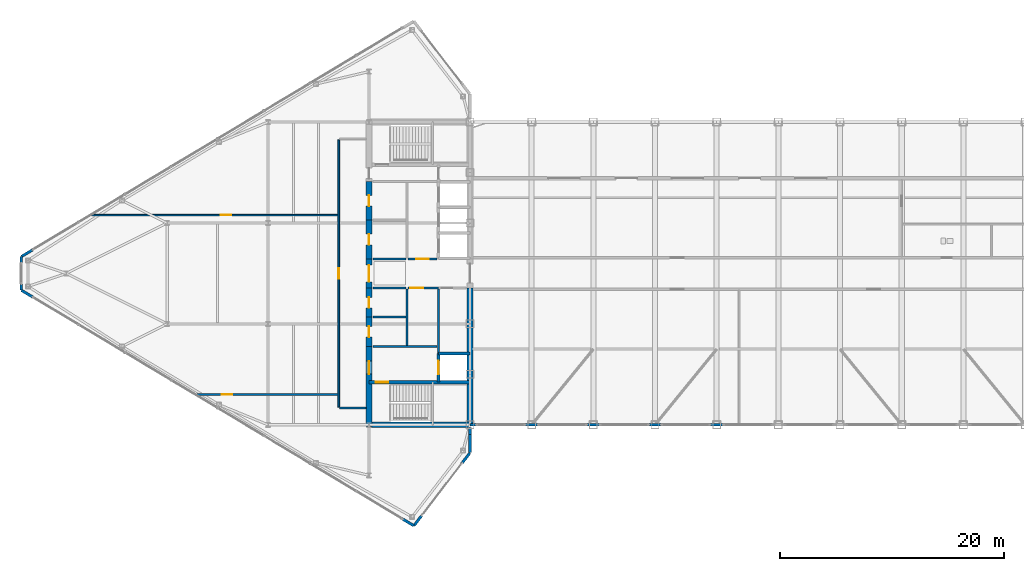
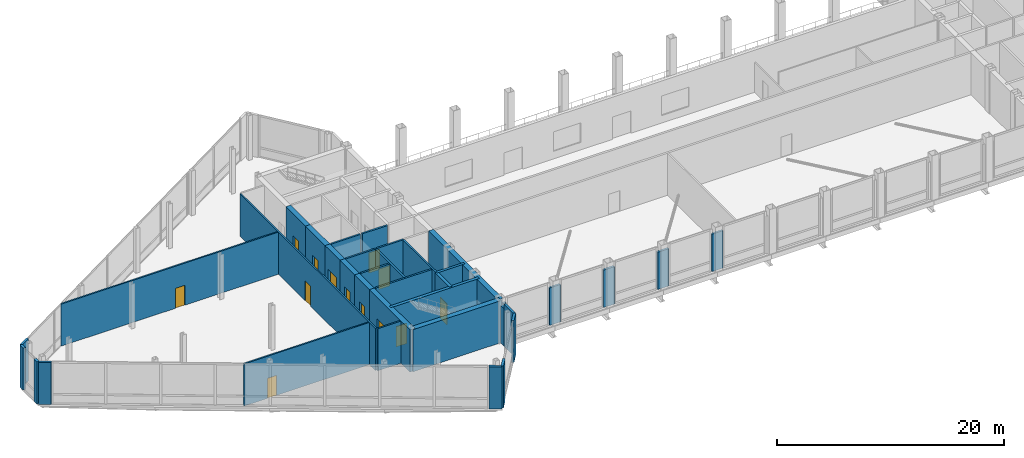
# One storey, part 21 of 28: 37 walls, 13 doors, 13 openings.
"""IFC4 building model written with IfcOpenShell, lengths in metres."""

from ifc_helpers import new_model, si_unit, direction, frame, frame_2d, origin, place, context, subcontext, project, spatial, rectangle, extrude, source, transform, mapped, material, layer, layer_set, type_object, type_shapes, element, fill, save


model = new_model("IFC4")

# Units and contexts
model_context = context("Model", 3, precision=1e-05, world=origin(), true_north=direction((0.0, 1.0)))
body_context = subcontext(model_context, "Body", "Model", "MODEL_VIEW")
ifc_project = project(units=[si_unit("LENGTHUNIT", "METRE"), si_unit("AREAUNIT", "SQUARE_METRE"), si_unit("VOLUMEUNIT", "CUBIC_METRE"), si_unit("PLANEANGLEUNIT", "RADIAN"), si_unit("MASSUNIT", "GRAM", prefix="KILO")], contexts=[model_context])

# Site, building, storey
site_placement = place(None, origin())
site = spatial("IfcSite", under=ifc_project, at=site_placement, CompositionType="ELEMENT")
building_placement = place(site_placement, origin())
building = spatial("IfcBuilding", under=site, at=building_placement, Name="Seokmaru Belvedere", CompositionType="ELEMENT")
storey_placement = place(building_placement, frame((0.0, 0.0, 274.199951171875)))
storey = spatial("IfcBuildingStorey", under=building, at=storey_placement, Name="L72", CompositionType="ELEMENT", Elevation=274.199951171875)

# Wall
ifc_material_1 = material(Name="Fire-Rated Gypsum Shaftwall")
ifc_layer_1 = layer(ifc_material_1, 0.14990234375)
ifc_layer_set_1 = layer_set([ifc_layer_1], Name="Fire-Rated Gypsum Shaftwall")
wall_type_1 = type_object("IfcWallType", Name="Apartment Fire-Acoustic Room Partition 150", PredefinedType="PARTITIONING", material=ifc_layer_set_1)
wall_1_placement = place(storey_placement, frame((-39.114990234375, -12.0, 0.0), z_axis=(0.0, 0.0, 1.0), x_axis=(1.0, 0.0, 0.0)))
element("IfcWall", 1, at=wall_1_placement, inside=storey, type_object=wall_type_1, Name="L72 Interior Partition 001", PredefinedType="PARTITIONING", context=body_context, shape_type="SweptSolid", body=[
    extrude(rectangle(XDim=2.360107421875, YDim=0.14990234375, at=frame_2d((1.18017578125, 0.0))), origin(), (0.0, 0.0, 1.0), 4.52001953125),
])

# Wall, opening, door
wall_2_placement = place(storey_placement, frame((-52.010009765625, -10.800048828125, 0.0), z_axis=(0.0, 0.0, 1.0), x_axis=(1.0, 0.0, 0.0)))
wall_2 = element("IfcWall", 2, at=wall_2_placement, inside=storey, type_object=wall_type_1, Name="L72 Interior Partition 003", PredefinedType="PARTITIONING", context=body_context, shape_type="SweptSolid", body=[
    extrude(rectangle(XDim=12.72509765625, YDim=0.14990234375, at=frame_2d((6.362548828125, 0.0))), origin(), (0.0, 0.0, 1.0), 4.52001953125),
])
opening_1_placement = place(wall_2_placement, frame((2.37646484375, 0.0, 0.0)))
opening_1 = element("IfcOpeningElement", 3, at=opening_1_placement, cuts=wall_2, Name="Opening D05", PredefinedType="OPENING", context=body_context, shape_type="SweptSolid", body=[
    extrude(rectangle(XDim=0.949951171875, YDim=2.14990234375, at=frame_2d((0.47509765625, 1.074951171875))), frame((0.0, 0.0849609375, 0.0), z_axis=(0.0, -1.0, 0.0), x_axis=(1.0, 0.0, 0.0)), (0.0, 0.0, 1.0), 0.169921875),
])
ifc_material_2 = material(Name="Engineered White Oak Timber", Category="wood")
door_type_1 = type_object("IfcDoorType", Name="Apartment Interior Fire-Rated Oak Door 950x2150", OperationType="NOTDEFINED", PredefinedType="DOOR", material=ifc_material_2)
shared_shape_1 = source(origin(), body_context, "Body", "SweptSolid", [
    extrude(rectangle(XDim=0.949951171875, YDim=2.14990234375, at=frame_2d((0.47509765625, 1.074951171875))), frame((0.0, 0.02490234375, 0.0), z_axis=(0.0, -1.0, 0.0), x_axis=(1.0, 0.0, 0.0)), (0.0, 0.0, 1.0), 0.050048828125),
])
type_shapes(door_type_1, [shared_shape_1])
door_1_placement = place(opening_1_placement, origin())
door_1 = element("IfcDoor", 4, at=door_1_placement, inside=storey, type_object=door_type_1, Name="L72 Interior Door 002", OperationType="SINGLE_SWING_RIGHT", OverallHeight=2.14990234375, OverallWidth=0.949951171875, PredefinedType="DOOR", context=body_context, shape_type="MappedRepresentation", body=[
    mapped(shared_shape_1, transform((0.0, 0.0, 0.0), scale=1.0)),
])
fill(opening_1, door_1)

wall_3_placement = place(storey_placement, frame((-61.343017578125, 5.199951171875, 0.0), z_axis=(0.0, 0.0, 1.0), x_axis=(1.0, 0.0, 0.0)))
wall_3 = element("IfcWall", 5, at=wall_3_placement, inside=storey, type_object=wall_type_1, Name="L72 Interior Partition 008", PredefinedType="PARTITIONING", context=body_context, shape_type="SweptSolid", body=[
    extrude(rectangle(XDim=22.05810546875, YDim=0.14990234375, at=frame_2d((11.029052734375, 0.0))), origin(), (0.0, 0.0, 1.0), 4.52001953125),
])
opening_2_placement = place(wall_3_placement, frame((11.617919921875, 0.0, 0.0)))
opening_2 = element("IfcOpeningElement", 6, at=opening_2_placement, cuts=wall_3, Name="Opening D05", PredefinedType="OPENING", context=body_context, shape_type="SweptSolid", body=[
    extrude(rectangle(XDim=0.949951171875, YDim=2.14990234375, at=frame_2d((0.47509765625, 1.074951171875))), frame((0.0, 0.0849609375, 0.0), z_axis=(0.0, -1.0, 0.0), x_axis=(1.0, 0.0, 0.0)), (0.0, 0.0, 1.0), 0.169921875),
])
door_2_placement = place(opening_2_placement, origin())
door_2 = element("IfcDoor", 7, at=door_2_placement, inside=storey, type_object=door_type_1, Name="L72 Interior Door 003", OperationType="SINGLE_SWING_LEFT", OverallHeight=2.14990234375, OverallWidth=0.949951171875, PredefinedType="DOOR", context=body_context, shape_type="MappedRepresentation", body=[
    mapped(shared_shape_1, transform((0.0, 0.0, 0.0), scale=1.0)),
])
fill(opening_2, door_2)

wall_4_placement = place(storey_placement, frame((-39.199951171875, -11.9150390625, 0.0), z_axis=(0.0, 0.0, 1.0), x_axis=(0.0, 1.0, 0.0)))
wall_4 = element("IfcWall", 8, at=wall_4_placement, inside=storey, type_object=wall_type_1, Name="L72 Interior Partition 012", PredefinedType="PARTITIONING", context=body_context, shape_type="SweptSolid", body=[
    extrude(rectangle(XDim=23.830078125, YDim=0.14990234375, at=frame_2d((11.9150390625, 0.0))), origin(), (0.0, 0.0, 1.0), 4.52001953125),
])
opening_3_placement = place(wall_4_placement, frame((11.43994140625, 0.0, 0.0)))
opening_3 = element("IfcOpeningElement", 9, at=opening_3_placement, cuts=wall_4, Name="Opening D05", PredefinedType="OPENING", context=body_context, shape_type="SweptSolid", body=[
    extrude(rectangle(XDim=0.949951171875, YDim=2.14990234375, at=frame_2d((0.47509765625, 1.074951171875))), frame((0.0, 0.0849609375, 0.0), z_axis=(0.0, -1.0, 0.0), x_axis=(1.0, 0.0, 0.0)), (0.0, 0.0, 1.0), 0.169921875),
])
door_3_placement = place(opening_3_placement, origin())
door_3 = element("IfcDoor", 10, at=door_3_placement, inside=storey, type_object=door_type_1, Name="L72 Interior Door 001", OperationType="SINGLE_SWING_LEFT", OverallHeight=2.14990234375, OverallWidth=0.949951171875, PredefinedType="DOOR", context=body_context, shape_type="MappedRepresentation", body=[
    mapped(shared_shape_1, transform((0.0, 0.0, 0.0), scale=1.0)),
])
fill(opening_3, door_3)

# Walls
ifc_material_3 = material(Name="Anodised Bronze Aluminium", Category="aluminium")
ifc_layer_2 = layer(ifc_material_3, 0.2099609375)
ifc_layer_set_2 = layer_set([ifc_layer_2], Name="Anodised Bronze Aluminium")
wall_type_2 = type_object("IfcWallType", Name="Bridge Column Spandrel Closure Pier 210", PredefinedType="SOLIDWALL", material=ifc_layer_set_2)
wall_5_placement = place(storey_placement, frame((-27.489990234375, -13.5, 0.0), z_axis=(0.0, 0.0, 1.0), x_axis=(1.0, 0.0, 0.0)))
element("IfcWall", 11, at=wall_5_placement, inside=storey, type_object=wall_type_2, Name="L72 Bridge South Column Closure Pier 01", PredefinedType="SOLIDWALL", context=body_context, shape_type="SweptSolid", body=[
    extrude(rectangle(XDim=0.5400390625, YDim=0.2099609375, at=frame_2d((0.27001953125, 0.0))), origin(), (0.0, 0.0, 1.0), 4.02001953125),
])
for number, where, z_axis, x_axis, name in (
    (12, (-22.550048828125, -13.5, 0.0), (0.0, 0.0, 1.0), (1.0, 0.0, 0.0), "L72 Bridge South Column Closure Pier 02"),
    (13, (-17.050048828125, -13.5, 0.0), (0.0, 0.0, 1.0), (1.0, 0.0, 0.0), "L72 Bridge South Column Closure Pier 03"),
    (14, (-11.550048828125, -13.5, 0.0), (0.0, 0.0, 1.0), (1.0, 0.0, 0.0), "L72 Bridge South Column Closure Pier 04"),
    (15, (-6.050048828125, -13.5, 0.0), (0.0, 0.0, 1.0), (1.0, 0.0, 0.0), "L72 Bridge South Column Closure Pier 05"),
):
    element("IfcWall", number, at=place(storey_placement, frame(where, z_axis=z_axis, x_axis=x_axis)), inside=storey, type_object=wall_type_2, Name=name, PredefinedType="SOLIDWALL", context=body_context, shape_type="SweptSolid", body=[
        extrude(rectangle(XDim=1.10009765625, YDim=0.2099609375, at=frame_2d((0.550048828125, 0.0))), origin(), (0.0, 0.0, 1.0), 4.02001953125),
    ])
ifc_layer_3 = layer(ifc_material_1, 0.179931640625)
ifc_layer_set_3 = layer_set([ifc_layer_3], Name="Fire-Rated Gypsum Shaftwall")
wall_type_3 = type_object("IfcWallType", Name="Core Service Fire Partition 180", PredefinedType="PARTITIONING", material=ifc_layer_set_3)
wall_6_placement = place(storey_placement, frame((-36.14990234375, -6.5, 0.0), z_axis=(0.0, 0.0, 1.0), x_axis=(1.0, 0.0, 0.0)))
element("IfcWall", 16, at=wall_6_placement, inside=storey, type_object=wall_type_3, Name="L72 West Firefighting Lobby Partition", PredefinedType="PARTITIONING", context=body_context, shape_type="SweptSolid", body=[
    extrude(rectangle(XDim=5.699951171875, YDim=0.179931640625, at=frame_2d((2.85009765625, 0.0))), origin(), (0.0, 0.0, 1.0), 4.52001953125),
])
wall_7_placement = place(storey_placement, frame((-33.10009765625, -6.419921875, 0.0), z_axis=(0.0, 0.0, 1.0), x_axis=(0.0, 1.0, 0.0)))
element("IfcWall", 17, at=wall_7_placement, inside=storey, type_object=wall_type_3, Name="L72 West South Core Service Back Wall", PredefinedType="PARTITIONING", context=body_context, shape_type="SweptSolid", body=[
    extrude(rectangle(XDim=5.0400390625, YDim=0.179931640625, at=frame_2d((2.52001953125, 0.0))), origin(), (0.0, 0.0, 1.0), 4.52001953125),
])

# Wall, opening, door
wall_8_placement = place(storey_placement, frame((-33.02001953125, -1.300048828125, 0.0), z_axis=(0.0, 0.0, 1.0), x_axis=(1.0, 0.0, 0.0)))
wall_8 = element("IfcWall", 18, at=wall_8_placement, inside=storey, type_object=wall_type_3, Name="L72 West South Wine Cellar Foyer Wall", PredefinedType="PARTITIONING", context=body_context, shape_type="SweptSolid", body=[
    extrude(rectangle(XDim=2.719970703125, YDim=0.179931640625, at=frame_2d((1.35986328125, 0.0))), origin(), (0.0, 0.0, 1.0), 4.52001953125),
])
opening_4_placement = place(wall_8_placement, frame((0.2099609375, 0.0, 0.0)))
opening_4 = element("IfcOpeningElement", 19, at=opening_4_placement, cuts=wall_8, Name="Opening D02", PredefinedType="OPENING", context=body_context, shape_type="SweptSolid", body=[
    extrude(rectangle(XDim=1.14990234375, YDim=2.199951171875, at=frame_2d((0.574951171875, 1.10009765625))), frame((0.0, 0.10009765625, 0.0), z_axis=(0.0, -1.0, 0.0), x_axis=(1.0, 0.0, 0.0)), (0.0, 0.0, 1.0), 0.199951171875),
])
ifc_material_4 = material(Name="Fire-Rated Steel Leaf", Category="steel")
door_type_2 = type_object("IfcDoorType", Name="Lobby and Vestibule Fire Door 1150x2200", OperationType="NOTDEFINED", PredefinedType="DOOR", material=ifc_material_4)
shared_shape_2 = source(origin(), body_context, "Body", "SweptSolid", [
    extrude(rectangle(XDim=1.14990234375, YDim=2.199951171875, at=frame_2d((0.574951171875, 1.10009765625))), frame((0.0, 0.02490234375, 0.0), z_axis=(0.0, -1.0, 0.0), x_axis=(1.0, 0.0, 0.0)), (0.0, 0.0, 1.0), 0.050048828125),
])
type_shapes(door_type_2, [shared_shape_2])
door_4_placement = place(opening_4_placement, origin())
door_4 = element("IfcDoor", 20, at=door_4_placement, inside=storey, type_object=door_type_2, Name="L72 West South Core Foyer Door", OperationType="SINGLE_SWING_LEFT", OverallHeight=2.199951171875, OverallWidth=1.14990234375, PredefinedType="DOOR", context=body_context, shape_type="MappedRepresentation", body=[
    mapped(shared_shape_2, transform((0.0, 0.0, 0.0), scale=1.0)),
])
fill(opening_4, door_4)

# Wall
wall_9_placement = place(storey_placement, frame((-30.300048828125, -7.1201171875, 0.0), z_axis=(0.0, 0.0, 1.0), x_axis=(0.0, 1.0, 0.0)))
element("IfcWall", 21, at=wall_9_placement, inside=storey, type_object=wall_type_3, Name="L72 West Freed Shaft Vault Partition", PredefinedType="PARTITIONING", context=body_context, shape_type="SweptSolid", body=[
    extrude(rectangle(XDim=5.740234375, YDim=0.179931640625, at=frame_2d((2.8701171875, 0.0))), origin(), (0.0, 0.0, 1.0), 4.52001953125),
])

# Wall, opening, door
wall_10_placement = place(storey_placement, frame((-33.02001953125, 1.300048828125, 0.0), z_axis=(0.0, 0.0, 1.0), x_axis=(1.0, 0.0, 0.0)))
wall_10 = element("IfcWall", 22, at=wall_10_placement, inside=storey, type_object=wall_type_3, Name="L72 West North Lift Lobby Foyer Wall", PredefinedType="PARTITIONING", context=body_context, shape_type="SweptSolid", body=[
    extrude(rectangle(XDim=2.570068359375, YDim=0.179931640625, at=frame_2d((1.28515625, 0.0))), origin(), (0.0, 0.0, 1.0), 4.52001953125),
])
opening_5_placement = place(wall_10_placement, frame((0.7099609375, 0.0, 0.0)))
opening_5 = element("IfcOpeningElement", 23, at=opening_5_placement, cuts=wall_10, Name="Opening D02", PredefinedType="OPENING", context=body_context, shape_type="SweptSolid", body=[
    extrude(rectangle(XDim=1.14990234375, YDim=2.199951171875, at=frame_2d((0.574951171875, 1.10009765625))), frame((0.0, 0.10009765625, 0.0), z_axis=(0.0, -1.0, 0.0), x_axis=(1.0, 0.0, 0.0)), (0.0, 0.0, 1.0), 0.199951171875),
])
door_5_placement = place(opening_5_placement, origin())
door_5 = element("IfcDoor", 24, at=door_5_placement, inside=storey, type_object=door_type_2, Name="L72 West North Lift Lobby Door", OperationType="SINGLE_SWING_RIGHT", OverallHeight=2.199951171875, OverallWidth=1.14990234375, PredefinedType="DOOR", context=body_context, shape_type="MappedRepresentation", body=[
    mapped(shared_shape_2, transform((0.0, 0.0, 0.0), scale=1.0)),
])
fill(opening_5, door_5)

# Walls
for number, where, z_axis, x_axis, name in (
    (25, (-36.14990234375, -1.300048828125, 0.0), (0.0, 0.0, 1.0), (1.0, 0.0, 0.0), "L72 West Foyer Side Wall S"),
    (26, (-36.14990234375, 1.300048828125, 0.0), (0.0, 0.0, 1.0), (1.0, 0.0, 0.0), "L72 West Foyer Side Wall N"),
    (27, (-36.14990234375, -3.89990234375, 0.0), (0.0, 0.0, 1.0), (1.0, 0.0, 0.0), "L72 West Core Service Partition 1"),
):
    element("IfcWall", number, at=place(storey_placement, frame(where, z_axis=z_axis, x_axis=x_axis)), inside=storey, type_object=wall_type_3, Name=name, PredefinedType="PARTITIONING", context=body_context, shape_type="SweptSolid", body=[
        extrude(rectangle(XDim=2.949951171875, YDim=0.179931640625, at=frame_2d((1.47509765625, 0.0))), origin(), (0.0, 0.0, 1.0), 4.52001953125),
    ])
ifc_material_5 = material(Name="Concrete C50 (50 MPa)", Category="concrete")
ifc_layer_4 = layer(ifc_material_5, 0.25)
ifc_layer_set_4 = layer_set([ifc_layer_4], Name="Concrete C50 (50 MPa)")
wall_type_4 = type_object("IfcWallType", Name="Hoistway Transverse Concrete Divider Wall 250", PredefinedType="SHEAR", material=ifc_layer_set_4)
wall_11_placement = place(storey_placement, frame((-30.300048828125, -7.14990234375, 0.0), z_axis=(0.0, 0.0, 1.0), x_axis=(1.0, 0.0, 0.0)))
element("IfcWall", 28, at=wall_11_placement, inside=storey, type_object=wall_type_4, Name="L72 West Hoistway Divider Core Wall 1", PredefinedType="SHEAR", context=body_context, shape_type="SweptSolid", body=[
    extrude(rectangle(XDim=2.800048828125, YDim=0.25, at=frame_2d((1.39990234375, 0.0))), origin(), (0.0, 0.0, 1.0), 4.52001953125),
])

# Wall, opening, door
ifc_layer_5 = layer(ifc_material_5, 0.300048828125)
ifc_layer_set_5 = layer_set([ifc_layer_5], Name="Concrete C50 (50 MPa)")
wall_type_5 = type_object("IfcWallType", Name="Internal Core Stair and Hoistway Wall 300", PredefinedType="SHEAR", material=ifc_layer_set_5)
wall_12_placement = place(storey_placement, frame((-36.5, -9.699951171875, 0.0), z_axis=(0.0, 0.0, 1.0), x_axis=(1.0, 0.0, 0.0)))
wall_12 = element("IfcWall", 29, at=wall_12_placement, inside=storey, type_object=wall_type_5, Name="L72 West Stair ST-1 Enclosure Wall", PredefinedType="SHEAR", context=body_context, shape_type="SweptSolid", body=[
    extrude(rectangle(XDim=9.0, YDim=0.300048828125, at=frame_2d((4.5, 0.0))), origin(), (0.0, 0.0, 1.0), 4.52001953125),
])
opening_6_placement = place(wall_12_placement, frame((0.60009765625, 0.0, 0.0)))
opening_6 = element("IfcOpeningElement", 30, at=opening_6_placement, cuts=wall_12, Name="Opening D01", PredefinedType="OPENING", context=body_context, shape_type="SweptSolid", body=[
    extrude(rectangle(XDim=1.10009765625, YDim=2.199951171875, at=frame_2d((0.550048828125, 1.10009765625))), frame((0.0, 0.16015625, 0.0), z_axis=(0.0, -1.0, 0.0), x_axis=(1.0, 0.0, 0.0)), (0.0, 0.0, 1.0), 0.320068359375),
])
door_type_3 = type_object("IfcDoorType", Name="Special Escape Stair Smokeproof Fire Door 1100x2200", OperationType="NOTDEFINED", PredefinedType="DOOR", material=ifc_material_4)
shared_shape_3 = source(origin(), body_context, "Body", "SweptSolid", [
    extrude(rectangle(XDim=1.10009765625, YDim=2.199951171875, at=frame_2d((0.550048828125, 1.10009765625))), frame((0.0, 0.02490234375, 0.0), z_axis=(0.0, -1.0, 0.0), x_axis=(1.0, 0.0, 0.0)), (0.0, 0.0, 1.0), 0.050048828125),
])
type_shapes(door_type_3, [shared_shape_3])
door_6_placement = place(opening_6_placement, frame((1.10009765625, 0.0, 0.0), z_axis=(0.0, 0.0, 1.0), x_axis=(-1.0, 0.0, 0.0)))
door_6 = element("IfcDoor", 31, at=door_6_placement, inside=storey, type_object=door_type_3, Name="L72 West Special Escape Stair ST-1 Door", OperationType="SINGLE_SWING_LEFT", OverallHeight=2.199951171875, OverallWidth=1.10009765625, PredefinedType="DOOR", context=body_context, shape_type="MappedRepresentation", body=[
    mapped(shared_shape_3, transform((0.0, 0.0, 0.0), scale=1.0)),
])
fill(opening_6, door_6)

wall_13_placement = place(storey_placement, frame((-30.300048828125, -9.679931640625, 0.0), z_axis=(0.0, 0.0, 1.0), x_axis=(0.0, 1.0, 0.0)))
wall_13 = element("IfcWall", 32, at=wall_13_placement, inside=storey, type_object=wall_type_5, Name="L72 West Firefighting Lift Shaft Front Wall", PredefinedType="SHEAR", context=body_context, shape_type="SweptSolid", body=[
    extrude(rectangle(XDim=2.559814453125, YDim=0.300048828125, at=frame_2d((1.27978515625, 0.0))), origin(), (0.0, 0.0, 1.0), 4.52001953125),
])
opening_7_placement = place(wall_13_placement, frame((0.679931640625, 0.0, 0.0)))
opening_7 = element("IfcOpeningElement", 33, at=opening_7_placement, cuts=wall_13, Name="Opening LD2", PredefinedType="OPENING", context=body_context, shape_type="SweptSolid", body=[
    extrude(rectangle(XDim=1.199951171875, YDim=2.25, at=frame_2d((0.60009765625, 1.125))), frame((0.0, 0.16015625, 0.0), z_axis=(0.0, -1.0, 0.0), x_axis=(1.0, 0.0, 0.0)), (0.0, 0.0, 1.0), 0.320068359375),
])
ifc_material_6 = material(Name="Stainless Steel 316", Category="steel")
door_type_4 = type_object("IfcDoorType", Name="Firefighting Lift Sliding Landing Door 1200x2250", OperationType="DOUBLE_DOOR_SLIDING", PredefinedType="DOOR", material=ifc_material_6)
shared_shape_4 = source(origin(), body_context, "Body", "SweptSolid", [
    extrude(rectangle(XDim=1.199951171875, YDim=2.25, at=frame_2d((0.60009765625, 1.125))), frame((0.0, 0.02490234375, 0.0), z_axis=(0.0, -1.0, 0.0), x_axis=(1.0, 0.0, 0.0)), (0.0, 0.0, 1.0), 0.050048828125),
])
type_shapes(door_type_4, [shared_shape_4])
door_7_placement = place(opening_7_placement, origin())
door_7 = element("IfcDoor", 34, at=door_7_placement, inside=storey, type_object=door_type_4, Name="L72 West Firefighting Lift Landing Door", OperationType="DOUBLE_DOOR_SLIDING", OverallHeight=2.25, OverallWidth=1.199951171875, PredefinedType="DOOR", context=body_context, shape_type="MappedRepresentation", body=[
    mapped(shared_shape_4, transform((0.0, 0.0, 0.0), scale=1.0)),
])
fill(opening_7, door_7)

# Walls
ifc_layer_6 = layer(ifc_material_3, 0.239990234375)
ifc_layer_set_6 = layer_set([ifc_layer_6], Name="Anodised Bronze Aluminium")
wall_type_6 = type_object("IfcWallType", Name="Tower Corner Spandrel Closure Wall 240", PredefinedType="SOLIDWALL", material=ifc_layer_set_6)
wall_14_placement = place(storey_placement, frame((-27.5, -15.97998046875, 0.0), z_axis=(0.0, 0.0, 1.0), x_axis=(0.0, 1.0, 0.0)))
element("IfcWall", 35, at=wall_14_placement, inside=storey, type_object=wall_type_6, Name="L72 W Shoulder Closure Wall 1", PredefinedType="SOLIDWALL", context=body_context, shape_type="SweptSolid", body=[
    extrude(rectangle(XDim=1.605224609375, YDim=0.239990234375, at=frame_2d((0.802734375, 0.0))), origin(), (0.0, 0.0, 1.0), 4.52001953125),
])
wall_15_placement = place(storey_placement, frame((-27.5, -14.374755859375, 0.0), z_axis=(0.0, 0.0, 1.0), x_axis=(0.0, 1.0, 0.0)))
element("IfcWall", 36, at=wall_15_placement, inside=storey, type_object=wall_type_6, Name="L72 W Shoulder Closure Wall 1 Part 2", PredefinedType="SOLIDWALL", context=body_context, shape_type="SweptSolid", body=[
    extrude(rectangle(XDim=0.619873046875, YDim=0.239990234375, at=frame_2d((0.31005859375, 0.0))), origin(), (0.0, 0.0, 1.0), 4.02001953125),
])
wall_16_placement = place(storey_placement, frame((-66.513916015625, 2.091796875, 0.0), z_axis=(0.0, 0.0, 1.0), x_axis=(-0.85743623509, -0.514590228002, 0.0)))
element("IfcWall", 37, at=wall_16_placement, inside=storey, type_object=wall_type_6, Name="L72 W Corner Closure Pier 3B", PredefinedType="SOLIDWALL", context=body_context, shape_type="SweptSolid", body=[
    extrude(rectangle(XDim=1.14013671875, YDim=0.239990234375, at=frame_2d((0.570068359375, 0.0))), origin(), (0.0, 0.0, 1.0), 4.52001953125),
])
for number, where, z_axis, x_axis, name in (
    (38, (-67.5, 1.489990234375, 0.0), (0.0, 0.0, 1.0), (0.0, -1.0, 0.0), "L72 W Apex Closure Pier 4A"),
    (39, (-67.5, -0.949951171875, 0.0), (0.0, 0.0, 1.0), (0.0, -1.0, 0.0), "L72 W Apex Closure Pier 4B"),
):
    element("IfcWall", number, at=place(storey_placement, frame(where, z_axis=z_axis, x_axis=x_axis)), inside=storey, type_object=wall_type_6, Name=name, PredefinedType="SOLIDWALL", context=body_context, shape_type="SweptSolid", body=[
        extrude(rectangle(XDim=0.5400390625, YDim=0.239990234375, at=frame_2d((0.27001953125, 0.0))), origin(), (0.0, 0.0, 1.0), 4.52001953125),
    ])
for number, where, z_axis, x_axis, name in (
    (40, (-67.491455078125, -1.505126953125, 0.0), (0.0, 0.0, 1.0), (0.85743623509, -0.514590228002, 0.0), "L72 W Corner Closure Pier 5A"),
    (41, (-33.486083984375, -21.908203125, 0.0), (0.0, 0.0, 1.0), (0.85743623509, -0.514590228002, 0.0), "L72 W Corner Closure Pier 5B"),
    (42, (-32.493896484375, -22.4921875, 0.0), (0.0, 0.0, 1.0), (0.609617623633, 0.792695624408, 0.0), "L72 W Corner Closure Pier 6A"),
    (43, (-28.201171875, -16.91162109375, 0.0), (0.0, 0.0, 1.0), (0.609617623633, 0.792695624408, 0.0), "L72 W Corner Closure Pier 6B"),
):
    element("IfcWall", number, at=place(storey_placement, frame(where, z_axis=z_axis, x_axis=x_axis)), inside=storey, type_object=wall_type_6, Name=name, PredefinedType="SOLIDWALL", context=body_context, shape_type="SweptSolid", body=[
        extrude(rectangle(XDim=1.14013671875, YDim=0.239990234375, at=frame_2d((0.570068359375, 0.0))), origin(), (0.0, 0.0, 1.0), 4.52001953125),
    ])
ifc_layer_7 = layer(ifc_material_5, 0.5)
ifc_layer_set_7 = layer_set([ifc_layer_7], Name="Concrete C50 (50 MPa)")
wall_type_7 = type_object("IfcWallType", Name="Upper Tower Reinforced Concrete Core Wall 500", PredefinedType="SHEAR", material=ifc_layer_set_7)
wall_17_placement = place(storey_placement, frame((-27.5, -13.5, 0.0), z_axis=(0.0, 0.0, 1.0), x_axis=(0.0, 1.0, 0.0)))
element("IfcWall", 44, at=wall_17_placement, inside=storey, type_object=wall_type_7, Name="L72 West Portal Spine Core Wall South", PredefinedType="SHEAR", context=body_context, shape_type="SweptSolid", body=[
    extrude(rectangle(XDim=12.199951171875, YDim=0.5, at=frame_2d((6.10009765625, 0.0))), origin(), (0.0, 0.0, 1.0), 4.52001953125),
])
wall_18_placement = place(storey_placement, frame((-36.5, -13.5, 0.0), z_axis=(0.0, 0.0, 1.0), x_axis=(1.0, 0.0, 0.0)))
element("IfcWall", 45, at=wall_18_placement, inside=storey, type_object=wall_type_7, Name="L72 West South Core Wall", PredefinedType="SHEAR", context=body_context, shape_type="SweptSolid", body=[
    extrude(rectangle(XDim=9.0, YDim=0.5, at=frame_2d((4.5, 0.0))), origin(), (0.0, 0.0, 1.0), 4.52001953125),
])

# Wall, opening, door
wall_19_placement = place(storey_placement, frame((-36.5, -13.64990234375, 0.0), z_axis=(0.0, 0.0, 1.0), x_axis=(0.0, 1.0, 0.0)))
wall_19 = element("IfcWall", 46, at=wall_19_placement, inside=storey, type_object=wall_type_7, Name="L72 West West Core Wall FF", PredefinedType="SHEAR", context=body_context, shape_type="SweptSolid", body=[
    extrude(rectangle(XDim=7.14990234375, YDim=0.5, at=frame_2d((3.574951171875, 0.0))), origin(), (0.0, 0.0, 1.0), 4.52001953125),
])
opening_8_placement = place(wall_19_placement, frame((4.675048828125, 0.0, 0.0)))
opening_8 = element("IfcOpeningElement", 47, at=opening_8_placement, cuts=wall_19, Name="Opening D02", PredefinedType="OPENING", context=body_context, shape_type="SweptSolid", body=[
    extrude(rectangle(XDim=1.14990234375, YDim=2.199951171875, at=frame_2d((0.574951171875, 1.10009765625))), frame((0.0, 0.260009765625, 0.0), z_axis=(0.0, -1.0, 0.0), x_axis=(1.0, 0.0, 0.0)), (0.0, 0.0, 1.0), 0.52001953125),
])
door_8_placement = place(opening_8_placement, frame((1.14990234375, 0.0, 0.0), z_axis=(0.0, 0.0, 1.0), x_axis=(-1.0, 0.0, 0.0)))
door_8 = element("IfcDoor", 48, at=door_8_placement, inside=storey, type_object=door_type_2, Name="L72 West Firefighting Lobby Door", OperationType="SINGLE_SWING_LEFT", OverallHeight=2.199951171875, OverallWidth=1.14990234375, PredefinedType="DOOR", context=body_context, shape_type="MappedRepresentation", body=[
    mapped(shared_shape_2, transform((0.0, 0.0, 0.0), scale=1.0)),
])
fill(opening_8, door_8)

wall_20_placement = place(storey_placement, frame((-36.5, -1.300048828125, 0.0), z_axis=(0.0, 0.0, 1.0), x_axis=(0.0, 1.0, 0.0)))
wall_20 = element("IfcWall", 49, at=wall_20_placement, inside=storey, type_object=wall_type_7, Name="L72 West West Core Wall FOY", PredefinedType="SHEAR", context=body_context, shape_type="SweptSolid", body=[
    extrude(rectangle(XDim=2.60009765625, YDim=0.5, at=frame_2d((1.300048828125, 0.0))), origin(), (0.0, 0.0, 1.0), 4.52001953125),
])
opening_9_placement = place(wall_20_placement, frame((0.550048828125, 0.0, 0.0)))
opening_9 = element("IfcOpeningElement", 50, at=opening_9_placement, cuts=wall_20, Name="Opening D08", PredefinedType="OPENING", context=body_context, shape_type="SweptSolid", body=[
    extrude(rectangle(XDim=1.5, YDim=2.300048828125, at=frame_2d((0.75, 1.14990234375))), frame((0.0, 0.260009765625, 0.0), z_axis=(0.0, -1.0, 0.0), x_axis=(1.0, 0.0, 0.0)), (0.0, 0.0, 1.0), 0.52001953125),
])
door_type_5 = type_object("IfcDoorType", Name="Cross-Corridor Compartment Double Fire Door 1500x2300", OperationType="DOUBLE_SWING_LEFT", PredefinedType="DOOR", material=ifc_material_4)
shared_shape_5 = source(origin(), body_context, "Body", "SweptSolid", [
    extrude(rectangle(XDim=1.5, YDim=2.300048828125, at=frame_2d((0.75, 1.14990234375))), frame((0.0, 0.02490234375, 0.0), z_axis=(0.0, -1.0, 0.0), x_axis=(1.0, 0.0, 0.0)), (0.0, 0.0, 1.0), 0.050048828125),
])
type_shapes(door_type_5, [shared_shape_5])
door_9_placement = place(opening_9_placement, origin())
door_9 = element("IfcDoor", 51, at=door_9_placement, inside=storey, type_object=door_type_5, Name="L72 West Core Foyer Compartment Door", OperationType="DOUBLE_SWING_LEFT", OverallHeight=2.300048828125, OverallWidth=1.5, PredefinedType="DOOR", context=body_context, shape_type="MappedRepresentation", body=[
    mapped(shared_shape_5, transform((0.0, 0.0, 0.0), scale=1.0)),
])
fill(opening_9, door_9)

wall_21_placement = place(storey_placement, frame((-36.5, -6.5, 0.0), z_axis=(0.0, 0.0, 1.0), x_axis=(0.0, 1.0, 0.0)))
wall_21 = element("IfcWall", 52, at=wall_21_placement, inside=storey, type_object=wall_type_7, Name="L72 West West Core Wall CS1", PredefinedType="SHEAR", context=body_context, shape_type="SweptSolid", body=[
    extrude(rectangle(XDim=2.60009765625, YDim=0.5, at=frame_2d((1.300048828125, 0.0))), origin(), (0.0, 0.0, 1.0), 4.52001953125),
])
opening_10_placement = place(wall_21_placement, frame((0.824951171875, 0.0, 0.0)))
opening_10 = element("IfcOpeningElement", 53, at=opening_10_placement, cuts=wall_21, Name="Opening D04", PredefinedType="OPENING", context=body_context, shape_type="SweptSolid", body=[
    extrude(rectangle(XDim=0.949951171875, YDim=2.14990234375, at=frame_2d((0.47509765625, 1.074951171875))), frame((0.0, 0.260009765625, 0.0), z_axis=(0.0, -1.0, 0.0), x_axis=(1.0, 0.0, 0.0)), (0.0, 0.0, 1.0), 0.52001953125),
])
door_type_6 = type_object("IfcDoorType", Name="Core Service Room Fire Door 950x2150", OperationType="NOTDEFINED", PredefinedType="DOOR", material=ifc_material_4)
shared_shape_6 = source(origin(), body_context, "Body", "SweptSolid", [
    extrude(rectangle(XDim=0.949951171875, YDim=2.14990234375, at=frame_2d((0.47509765625, 1.074951171875))), frame((0.0, 0.02490234375, 0.0), z_axis=(0.0, -1.0, 0.0), x_axis=(1.0, 0.0, 0.0)), (0.0, 0.0, 1.0), 0.050048828125),
])
type_shapes(door_type_6, [shared_shape_6])
door_10_placement = place(opening_10_placement, origin())
door_10 = element("IfcDoor", 54, at=door_10_placement, inside=storey, type_object=door_type_6, Name="L72 West Core Service Room Door 1", OperationType="SINGLE_SWING_LEFT", OverallHeight=2.14990234375, OverallWidth=0.949951171875, PredefinedType="DOOR", context=body_context, shape_type="MappedRepresentation", body=[
    mapped(shared_shape_6, transform((0.0, 0.0, 0.0), scale=1.0)),
])
fill(opening_10, door_10)

wall_22_placement = place(storey_placement, frame((-36.5, -3.89990234375, 0.0), z_axis=(0.0, 0.0, 1.0), x_axis=(0.0, 1.0, 0.0)))
wall_22 = element("IfcWall", 55, at=wall_22_placement, inside=storey, type_object=wall_type_7, Name="L72 West West Core Wall CS2", PredefinedType="SHEAR", context=body_context, shape_type="SweptSolid", body=[
    extrude(rectangle(XDim=2.599853515625, YDim=0.5, at=frame_2d((1.2998046875, 0.0))), origin(), (0.0, 0.0, 1.0), 4.52001953125),
])
opening_11_placement = place(wall_22_placement, frame((0.824951171875, 0.0, 0.0)))
opening_11 = element("IfcOpeningElement", 56, at=opening_11_placement, cuts=wall_22, Name="Opening D04", PredefinedType="OPENING", context=body_context, shape_type="SweptSolid", body=[
    extrude(rectangle(XDim=0.949951171875, YDim=2.14990234375, at=frame_2d((0.47509765625, 1.074951171875))), frame((0.0, 0.260009765625, 0.0), z_axis=(0.0, -1.0, 0.0), x_axis=(1.0, 0.0, 0.0)), (0.0, 0.0, 1.0), 0.52001953125),
])
door_11_placement = place(opening_11_placement, origin())
door_11 = element("IfcDoor", 57, at=door_11_placement, inside=storey, type_object=door_type_6, Name="L72 West Core Service Room Door 2", OperationType="SINGLE_SWING_RIGHT", OverallHeight=2.14990234375, OverallWidth=0.949951171875, PredefinedType="DOOR", context=body_context, shape_type="MappedRepresentation", body=[
    mapped(shared_shape_6, transform((0.0, 0.0, 0.0), scale=1.0)),
])
fill(opening_11, door_11)

wall_23_placement = place(storey_placement, frame((-36.5, 1.300048828125, 0.0), z_axis=(0.0, 0.0, 1.0), x_axis=(0.0, 1.0, 0.0)))
wall_23 = element("IfcWall", 58, at=wall_23_placement, inside=storey, type_object=wall_type_7, Name="L72 West West Core Wall CS3", PredefinedType="SHEAR", context=body_context, shape_type="SweptSolid", body=[
    extrude(rectangle(XDim=3.449951171875, YDim=0.5, at=frame_2d((1.72509765625, 0.0))), origin(), (0.0, 0.0, 1.0), 4.52001953125),
])
opening_12_placement = place(wall_23_placement, frame((1.25, 0.0, 0.0)))
opening_12 = element("IfcOpeningElement", 59, at=opening_12_placement, cuts=wall_23, Name="Opening D04", PredefinedType="OPENING", context=body_context, shape_type="SweptSolid", body=[
    extrude(rectangle(XDim=0.949951171875, YDim=2.14990234375, at=frame_2d((0.47509765625, 1.074951171875))), frame((0.0, 0.260009765625, 0.0), z_axis=(0.0, -1.0, 0.0), x_axis=(1.0, 0.0, 0.0)), (0.0, 0.0, 1.0), 0.52001953125),
])
door_12_placement = place(opening_12_placement, origin())
door_12 = element("IfcDoor", 60, at=door_12_placement, inside=storey, type_object=door_type_6, Name="L72 West Core Service Room Door 3", OperationType="SINGLE_SWING_LEFT", OverallHeight=2.14990234375, OverallWidth=0.949951171875, PredefinedType="DOOR", context=body_context, shape_type="MappedRepresentation", body=[
    mapped(shared_shape_6, transform((0.0, 0.0, 0.0), scale=1.0)),
])
fill(opening_12, door_12)

wall_24_placement = place(storey_placement, frame((-36.5, 4.75, 0.0), z_axis=(0.0, 0.0, 1.0), x_axis=(0.0, 1.0, 0.0)))
wall_24 = element("IfcWall", 61, at=wall_24_placement, inside=storey, type_object=wall_type_7, Name="L72 West West Core Wall CS4", PredefinedType="SHEAR", context=body_context, shape_type="SweptSolid", body=[
    extrude(rectangle(XDim=3.449951171875, YDim=0.5, at=frame_2d((1.72509765625, 0.0))), origin(), (0.0, 0.0, 1.0), 4.52001953125),
])
opening_13_placement = place(wall_24_placement, frame((1.25, 0.0, 0.0)))
opening_13 = element("IfcOpeningElement", 62, at=opening_13_placement, cuts=wall_24, Name="Opening D04", PredefinedType="OPENING", context=body_context, shape_type="SweptSolid", body=[
    extrude(rectangle(XDim=0.949951171875, YDim=2.14990234375, at=frame_2d((0.47509765625, 1.074951171875))), frame((0.0, 0.260009765625, 0.0), z_axis=(0.0, -1.0, 0.0), x_axis=(1.0, 0.0, 0.0)), (0.0, 0.0, 1.0), 0.52001953125),
])
door_13_placement = place(opening_13_placement, origin())
door_13 = element("IfcDoor", 63, at=door_13_placement, inside=storey, type_object=door_type_6, Name="L72 West Core Service Room Door 4", OperationType="SINGLE_SWING_RIGHT", OverallHeight=2.14990234375, OverallWidth=0.949951171875, PredefinedType="DOOR", context=body_context, shape_type="MappedRepresentation", body=[
    mapped(shared_shape_6, transform((0.0, 0.0, 0.0), scale=1.0)),
])
fill(opening_13, door_13)

save(model, "model.ifc")
